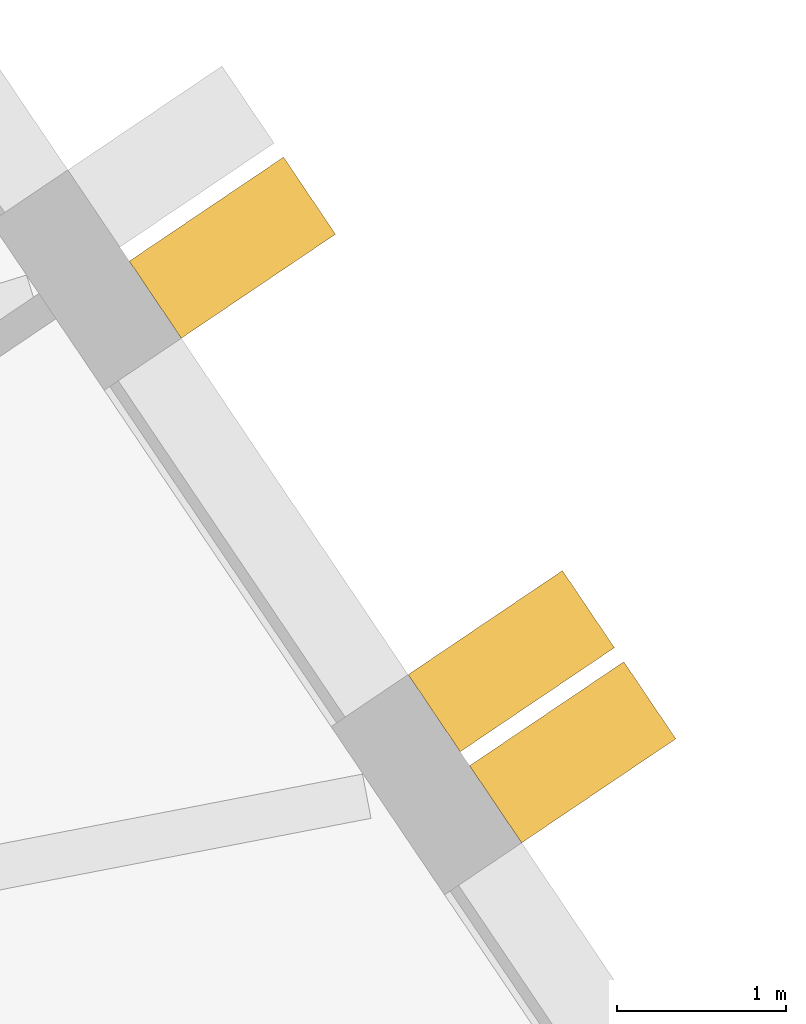
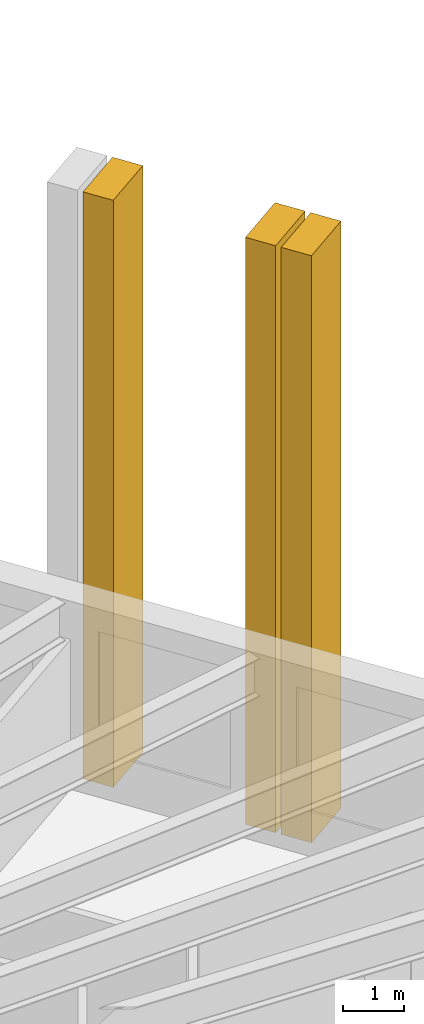
# One storey, part 12 of 12: 3 shading devices.
"""IFC4 building model written with IfcOpenShell, lengths in metres."""

from ifc_helpers import new_model, si_unit, direction, frame, origin, place, context, subcontext, project, spatial, polyline, outline, extrude, material, layer, layer_set, type_object, element, save


model = new_model("IFC4")

# Units and contexts
model_context = context("Model", 3, precision=1e-05, world=origin(), true_north=direction((0.0, 1.0)))
body_context = subcontext(model_context, "Body", "Model", "MODEL_VIEW")
ifc_project = project(units=[si_unit("LENGTHUNIT", "METRE"), si_unit("AREAUNIT", "SQUARE_METRE"), si_unit("VOLUMEUNIT", "CUBIC_METRE"), si_unit("PLANEANGLEUNIT", "RADIAN"), si_unit("MASSUNIT", "GRAM", prefix="KILO")], contexts=[model_context])

# Site, building, storey
site_placement = place(None, origin())
site = spatial("IfcSite", under=ifc_project, at=site_placement, CompositionType="ELEMENT")
building_placement = place(site_placement, origin())
building = spatial("IfcBuilding", under=site, at=building_placement, Name="Tarnside Tower", CompositionType="ELEMENT")
storey_placement = place(building_placement, frame((0.0, 0.0, 49.199951171875)))
storey = spatial("IfcBuildingStorey", under=building, at=storey_placement, Name="L09", CompositionType="ELEMENT", Elevation=49.199951171875)

# Shading devices
ifc_material = material(Name="Concrete C50/60 white precast", Category="concrete")
ifc_layer = layer(ifc_material, 0.550048828125)
ifc_layer_set = layer_set([ifc_layer], Name="Precast fin 550 x 1100")
shading_device_type = type_object("IfcShadingDeviceType", Name="Precast fin 550 x 1100", PredefinedType="USERDEFINED", material=ifc_layer_set)
for number, where, z_axis, x_axis, name in (
    (1, (31.769287109375, 6.548583984375, -0.14990234375), (0.559192903471, -0.829037572555, 0.0), (0.829037572555, 0.559192903471, 0.0), "Precast fin"),
    (2, (31.406005859375, 7.087646484375, -0.14990234375), (0.559192903471, -0.829037572555, 0.0), (0.829037572555, 0.559192903471, 0.0), "Precast fin"),
    (3, (29.75634765625, 9.533203125, -0.14990234375), (0.559192903471, -0.829037572555, 0.0), (0.829037572555, 0.559192903471, 0.0), "Precast fin"),
):
    element("IfcShadingDevice", number, at=place(storey_placement, frame(where, z_axis=z_axis, x_axis=x_axis)), inside=storey, type_object=shading_device_type, Name=name, ObjectType="FIN", PredefinedType="USERDEFINED", context=body_context, shape_type="SweptSolid", body=[
        extrude(outline(polyline([(0.0, 0.0), (1.10009765625, 0.0), (1.10009765625, 11.699951171875), (0.0, 11.699951171875), (0.0, 0.0)])), frame((0.0, 0.0, -0.27490234375)), (0.0, 0.0, 1.0), 0.550048828125),
    ])

save(model, "model.ifc")
